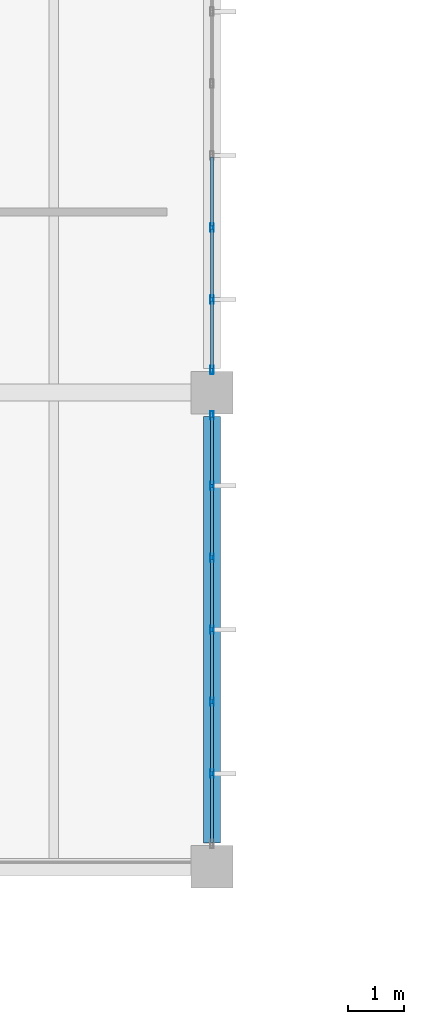
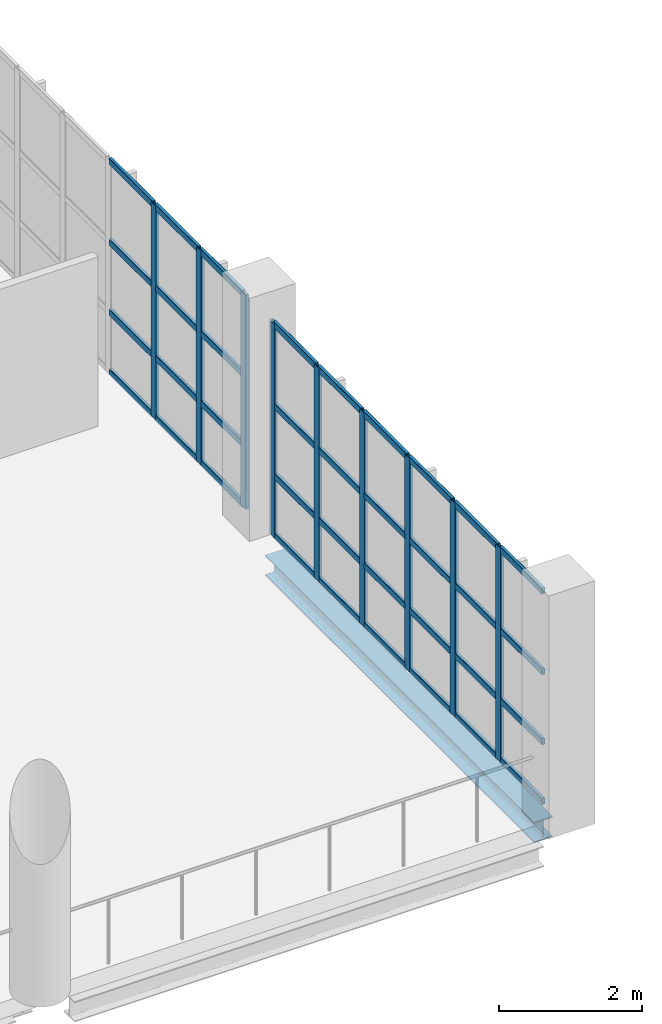
# One storey, part 34 of 177: 45 members, 1 beam, 2 elements without a shape of their own.
"""IFC4 building model written with IfcOpenShell, lengths in metres."""

import ifcopenshell
import ifcopenshell.guid

model = None  # the IFC model being written
_history = None  # IfcOwnerHistory: only IFC2X3 demands one
_inside = {}  # id of a spatial element -> (the spatial element, [elements in it])
_under = {}  # id of a project, library or spatial element -> (it, [spatial elements below it])
_declared = {}  # id of a project -> (the project, [libraries it declares])
_typed = {}  # id of a type object -> (the type object, [elements of that type])
_made_of = {}  # id of a material, layer set ... -> (it, [elements and type objects made of it])


def new_model(schema):
    """Start an empty IFC model of exactly this schema.

    Asked for "IFC4X3", IfcOpenShell would pick the latest addendum, in which some entities
    have other attributes; the version numbers below select the first issue.
    IFC2X3 requires an IfcOwnerHistory on every rooted entity: one is made here for all.
    """
    global model, _history
    if schema == "IFC4X3":
        model = ifcopenshell.file(schema_version=(4, 3, 0, 0))
    else:
        model = ifcopenshell.file(schema=schema)
    _inside.clear()
    _under.clear()
    _declared.clear()
    _typed.clear()
    _made_of.clear()
    _history = None
    if model.schema == "IFC2X3":
        org = make("IfcOrganization", Name="unknown")
        user = make(
            "IfcPersonAndOrganization",
            ThePerson=make("IfcPerson", FamilyName="unknown"),
            TheOrganization=org,
        )
        app = make(
            "IfcApplication",
            ApplicationDeveloper=org,
            Version="unknown",
            ApplicationFullName="unknown",
            ApplicationIdentifier="unknown",
        )
        _history = make(
            "IfcOwnerHistory",
            OwningUser=user,
            OwningApplication=app,
            ChangeAction="ADDED",
            CreationDate=0,
        )
    return model


def make(cls, **values):
    """One entity of the class cls with the attributes given. An attribute that is None is left unset."""
    return model.create_entity(
        cls, **{name: value for name, value in values.items() if value is not None}
    )


def rooted(cls, **values):
    """An entity with a GlobalId (a new one), such as an element, a storey or a relation."""
    return make(cls, GlobalId=ifcopenshell.guid.new(), OwnerHistory=_history, **values)


def si_unit(unit_type, name, prefix=None):
    """IfcSIUnit, for example si_unit("LENGTHUNIT", "METRE", prefix="MILLI")."""
    return make("IfcSIUnit", UnitType=unit_type, Prefix=prefix, Name=name)


def assignment(units):
    """IfcUnitAssignment: the units of a project."""
    return None if units is None else make("IfcUnitAssignment", Units=units)


def point(xyz):
    """IfcCartesianPoint."""
    return None if xyz is None else make("IfcCartesianPoint", Coordinates=xyz)


def direction(xyz):
    """IfcDirection."""
    return None if xyz is None else make("IfcDirection", DirectionRatios=xyz)


def frame(location, z_axis=None, x_axis=None):
    """IfcAxis2Placement3D, a coordinate frame: its origin and axes. An axis left out is left unset."""
    return make(
        "IfcAxis2Placement3D",
        Location=point(location),
        Axis=direction(z_axis),
        RefDirection=direction(x_axis),
    )


def frame_2d(location, x_axis=None):
    """IfcAxis2Placement2D, a coordinate frame in the plane: its origin and x axis."""
    return make(
        "IfcAxis2Placement2D", Location=point(location), RefDirection=direction(x_axis)
    )


def origin():
    """The frame at (0, 0, 0) with its axes left unset."""
    return frame((0.0, 0.0, 0.0))


def origin_2d():
    """The frame at (0, 0) in the plane with its x axis left unset."""
    return frame_2d((0.0, 0.0))


def place(relative_to, where):
    """IfcLocalPlacement: puts the frame where relative to a parent placement (None: the world)."""
    return make(
        "IfcLocalPlacement", PlacementRelTo=relative_to, RelativePlacement=where
    )


def context(
    kind, dimensions, precision=None, world=None, true_north=None, identifier=None
):
    """IfcGeometricRepresentationContext, for example the 3D "Model" context."""
    return make(
        "IfcGeometricRepresentationContext",
        ContextIdentifier=identifier,
        ContextType=kind,
        CoordinateSpaceDimension=dimensions,
        Precision=precision,
        WorldCoordinateSystem=world,
        TrueNorth=true_north,
    )


def subcontext(parent, identifier, kind, view, scale=None):
    """IfcGeometricRepresentationSubContext, for example "Body" below "Model"."""
    return make(
        "IfcGeometricRepresentationSubContext",
        ContextIdentifier=identifier,
        ContextType=kind,
        ParentContext=parent,
        TargetScale=scale,
        TargetView=view,
    )


def project(units=None, contexts=None):
    """IfcProject with its units and contexts."""
    return rooted(
        "IfcProject",
        Name="project",
        RepresentationContexts=contexts,
        UnitsInContext=assignment(units),
    )


def spatial(cls, under=None, at=None, **own):
    """A site, building, storey or space (cls), placed at a placement, below another one or the project."""
    s = rooted(cls, ObjectPlacement=at, **own)
    if under is not None:
        _under.setdefault(under.id(), (under, []))[1].append(s)
    return s


def profile(cls, at=None, kind="AREA", **sizes):
    """A parametric profile (cls). Its sizes go by their IFC names, for example OverallWidth=200.0."""
    return make(cls, ProfileType=kind, Position=at, **sizes)


def hollow_rectangle(**sizes):
    """IfcRectangleHollowProfileDef."""
    return profile("IfcRectangleHollowProfileDef", **sizes)


def i_section(**sizes):
    """IfcIShapeProfileDef."""
    return profile("IfcIShapeProfileDef", **sizes)


def extrude(swept, where, along, depth):
    """IfcExtrudedAreaSolid: the profile swept, set in the frame where, extruded along a direction by depth."""
    return make(
        "IfcExtrudedAreaSolid",
        SweptArea=swept,
        Position=where,
        ExtrudedDirection=direction(along),
        Depth=depth,
    )


def shape(context_of_items, identifier, shape_type, items):
    """IfcShapeRepresentation: the items that make up one representation, for example the "Body"."""
    return make(
        "IfcShapeRepresentation",
        ContextOfItems=context_of_items,
        RepresentationIdentifier=identifier,
        RepresentationType=shape_type,
        Items=items,
    )


def material(Name=None, Category=None):
    """IfcMaterial."""
    return make("IfcMaterial", Name=Name, Category=Category)


def layer(
    of_material, thickness, ventilated=None, Name=None, Category=None, Priority=None
):
    """IfcMaterialLayer: one layer of a wall or slab, of a material (None: an air gap)."""
    return make(
        "IfcMaterialLayer",
        Material=of_material,
        LayerThickness=thickness,
        IsVentilated=ventilated,
        Name=Name,
        Category=Category,
        Priority=Priority,
    )


def layer_set(layers, Name=None):
    """IfcMaterialLayerSet."""
    return make("IfcMaterialLayerSet", MaterialLayers=layers, LayerSetName=Name)


def material_profile(
    of_material, cross_section, Name=None, Category=None, Priority=None
):
    """IfcMaterialProfile: a cross section and its material."""
    return make(
        "IfcMaterialProfile",
        Name=Name,
        Material=of_material,
        Profile=cross_section,
        Priority=Priority,
        Category=Category,
    )


def profile_set(profiles, Name=None, composite=None):
    """IfcMaterialProfileSet."""
    return make(
        "IfcMaterialProfileSet",
        Name=Name,
        MaterialProfiles=profiles,
        CompositeProfile=composite,
    )


def made_of(thing, what):
    """Note that an element or type object is made of a material, layer set ...; save() writes the relation."""
    if what is not None:
        _made_of.setdefault(what.id(), (what, []))[1].append(thing)
    return thing


def type_object(cls, material=None, **own):
    """A type object (cls), such as IfcWallType, which elements share."""
    return made_of(rooted(cls, **own), material)


def element(
    cls,
    number,
    at=None,
    inside=None,
    cuts=None,
    type_object=None,
    material=None,
    context=None,
    identifier="Body",
    shape_type=None,
    held_by="IfcProductDefinitionShape",
    body=None,
    shapes=None,
    **own,
):
    """One element of the class cls, such as IfcWall. Its Tag is "e" and its number.

    at: its placement. inside: the storey or other place that contains it. cuts: it is an
    opening in that element (IfcRelVoidsElement). A single representation is given by context,
    identifier, shape_type and body (its items); several are given by shapes. held_by: the class
    of the entity that holds the representations. save() writes the other relations.
    """
    e = rooted(cls, Tag="e%d" % number, ObjectPlacement=at, **own)
    if body is not None:
        shapes = [shape(context, identifier, shape_type, body)]
    if shapes is not None:
        e.Representation = make(held_by, Representations=shapes)
    if inside is not None:
        _inside.setdefault(inside.id(), (inside, []))[1].append(e)
    if cuts is not None:
        rooted(
            "IfcRelVoidsElement", RelatingBuildingElement=cuts, RelatedOpeningElement=e
        )
    if type_object is not None:
        _typed.setdefault(type_object.id(), (type_object, []))[1].append(e)
    return made_of(e, material)


def aggregate(whole, parts):
    """IfcRelAggregates: a whole, such as a stair, and the parts it consists of."""
    return rooted("IfcRelAggregates", RelatingObject=whole, RelatedObjects=parts)


def save(model, path):
    """Write the relations noted so far, then the file.

    IfcRelAggregates (storeys below a building ...), IfcRelContainedInSpatialStructure (elements
    in a storey), IfcRelDefinesByType, IfcRelAssociatesMaterial and IfcRelDeclares: one each for
    every whole, place, type object, material and project.
    """
    for whole, parts in _under.values():
        aggregate(whole, parts)
    for where, things in _inside.values():
        rooted(
            "IfcRelContainedInSpatialStructure",
            RelatedElements=things,
            RelatingStructure=where,
        )
    for kind, things in _typed.values():
        rooted("IfcRelDefinesByType", RelatedObjects=things, RelatingType=kind)
    for what, things in _made_of.values():
        rooted("IfcRelAssociatesMaterial", RelatedObjects=things, RelatingMaterial=what)
    for by, libraries in _declared.values():
        rooted("IfcRelDeclares", RelatingContext=by, RelatedDefinitions=libraries)
    model.write(path)


model = new_model("IFC4")

# Units and contexts
model_context = context("Model", 3, precision=1e-05, world=origin(), true_north=direction((0.0, 1.0)))
body_context = subcontext(model_context, "Body", "Model", "MODEL_VIEW")
ifc_project = project(units=[si_unit("LENGTHUNIT", "METRE"), si_unit("AREAUNIT", "SQUARE_METRE"), si_unit("VOLUMEUNIT", "CUBIC_METRE"), si_unit("PLANEANGLEUNIT", "RADIAN"), si_unit("MASSUNIT", "GRAM", prefix="KILO"), si_unit("THERMODYNAMICTEMPERATUREUNIT", "KELVIN"), si_unit("POWERUNIT", "WATT")], contexts=[model_context])

# Site, building, storey
site_placement = place(None, origin())
site = spatial("IfcSite", under=ifc_project, at=site_placement, CompositionType="ELEMENT")
building_placement = place(site_placement, origin())
building = spatial("IfcBuilding", under=site, at=building_placement, Name="Mavoryth Pier Ferry Terminal", CompositionType="ELEMENT")
storey_placement = place(building_placement, frame((0.0, 0.0, 5.43994140625)))
storey = spatial("IfcBuildingStorey", under=building, at=storey_placement, Name="L01", CompositionType="ELEMENT", Elevation=5.43994140625)

# Curtain wall, members
ifc_material_1 = material(Name="Anodised Aluminium and Solar-Control Low-E Glass", Category="aluminium")
ifc_layer = layer(ifc_material_1, 0.199951171875, Name="Anodised Aluminium and Solar-Control Low-E Glass", Category="aluminium")
ifc_layer_set = layer_set([ifc_layer], Name="Anodised Aluminium and Solar-Control Low-E Glass - CW-Concourse-Mod1200")
curtain_wall_type = type_object("IfcCurtainWallType", Name="CW-Concourse-Mod1200", PredefinedType="USERDEFINED", material=ifc_layer_set)
curtain_wall_1_placement = place(storey_placement, origin())
curtain_wall_1 = element("IfcCurtainWall", 1, at=curtain_wall_1_placement, inside=storey, type_object=curtain_wall_type, Name="Curtain Wall CW-0111-008", ObjectType="UNITISED CURTAIN WALL", PredefinedType="USERDEFINED")
ifc_material_2 = material(Name="Anodised Aluminium EN AW-6063", Category="aluminium")
ifc_material_profile_1 = material_profile(ifc_material_2, hollow_rectangle(XDim=0.054931640625, YDim=0.14990234375, WallThickness=0.00390625, InnerFilletRadius=0.00390625, OuterFilletRadius=0.008056640625, at=origin_2d()), Name="AL-MULL 150x55x4", Category="aluminium")
ifc_profile_set_1 = profile_set([ifc_material_profile_1], Name="Anodised Aluminium EN AW-6063 - AL-MULL 150x55x4")
member_type_1 = type_object("IfcMemberType", Name="Mullion-Alum-150x55", PredefinedType="MULLION", material=ifc_profile_set_1)
member_1_placement = place(storey_placement, frame((33.60009765625, 48.85009765625, 0.0), z_axis=(0.0, 0.0, 1.0), x_axis=(-1.0, 0.0, 0.0)))
member_1 = element("IfcMember", 2, at=member_1_placement, type_object=member_type_1, Name="CW02 mullion 2", PredefinedType="MULLION", context=body_context, shape_type="SweptSolid", body=[
    extrude(hollow_rectangle(XDim=0.054931640625, YDim=0.14990234375, WallThickness=0.00390625, InnerFilletRadius=0.00390625, OuterFilletRadius=0.008056640625, at=origin_2d()), origin(), (0.0, 0.0, 1.0), 3.66015625),
])
member_2_placement = place(storey_placement, frame((33.60009765625, 50.125, 0.0), z_axis=(0.0, 0.0, 1.0), x_axis=(-1.0, 0.0, 0.0)))
member_2 = element("IfcMember", 3, at=member_2_placement, type_object=member_type_1, Name="CW02 mullion 3", PredefinedType="MULLION", context=body_context, shape_type="SweptSolid", body=[
    extrude(hollow_rectangle(XDim=0.054931640625, YDim=0.14990234375, WallThickness=0.00390625, InnerFilletRadius=0.00390625, OuterFilletRadius=0.008056640625, at=origin_2d()), origin(), (0.0, 0.0, 1.0), 3.66015625),
])
member_3_placement = place(storey_placement, frame((33.60009765625, 51.39990234375, 0.0), z_axis=(0.0, 0.0, 1.0), x_axis=(-1.0, 0.0, 0.0)))
member_3 = element("IfcMember", 4, at=member_3_placement, type_object=member_type_1, Name="CW02 mullion 4", PredefinedType="MULLION", context=body_context, shape_type="SweptSolid", body=[
    extrude(hollow_rectangle(XDim=0.054931640625, YDim=0.14990234375, WallThickness=0.00390625, InnerFilletRadius=0.00390625, OuterFilletRadius=0.008056640625, at=origin_2d()), origin(), (0.0, 0.0, 1.0), 3.66015625),
])
member_4_placement = place(storey_placement, frame((33.60009765625, 52.675048828125, 0.0), z_axis=(0.0, 0.0, 1.0), x_axis=(-1.0, 0.0, 0.0)))
member_4 = element("IfcMember", 5, at=member_4_placement, type_object=member_type_1, Name="CW02 mullion 5", PredefinedType="MULLION", context=body_context, shape_type="SweptSolid", body=[
    extrude(hollow_rectangle(XDim=0.054931640625, YDim=0.14990234375, WallThickness=0.00390625, InnerFilletRadius=0.00390625, OuterFilletRadius=0.008056640625, at=origin_2d()), origin(), (0.0, 0.0, 1.0), 3.66015625),
])
member_5_placement = place(storey_placement, frame((33.60009765625, 53.949951171875, 0.0), z_axis=(0.0, 0.0, 1.0), x_axis=(-1.0, 0.0, 0.0)))
member_5 = element("IfcMember", 6, at=member_5_placement, type_object=member_type_1, Name="CW02 mullion 6", PredefinedType="MULLION", context=body_context, shape_type="SweptSolid", body=[
    extrude(hollow_rectangle(XDim=0.054931640625, YDim=0.14990234375, WallThickness=0.00390625, InnerFilletRadius=0.00390625, OuterFilletRadius=0.008056640625, at=origin_2d()), origin(), (0.0, 0.0, 1.0), 3.66015625),
])
member_6_placement = place(storey_placement, frame((33.60009765625, 55.197509765625, 0.0), z_axis=(0.0, 0.0, 1.0), x_axis=(-1.0, 0.0, 0.0)))
member_6 = element("IfcMember", 7, at=member_6_placement, type_object=member_type_1, Name="CW02 mullion 7", PredefinedType="MULLION", context=body_context, shape_type="SweptSolid", body=[
    extrude(hollow_rectangle(XDim=0.054931640625, YDim=0.14990234375, WallThickness=0.00390625, InnerFilletRadius=0.00390625, OuterFilletRadius=0.008056640625, at=origin_2d()), origin(), (0.0, 0.0, 1.0), 3.66015625),
])

curtain_wall_2_placement = place(storey_placement, origin())
curtain_wall_2 = element("IfcCurtainWall", 8, at=curtain_wall_2_placement, inside=storey, type_object=curtain_wall_type, Name="Curtain Wall CW-0111-012", ObjectType="UNITISED CURTAIN WALL", PredefinedType="USERDEFINED")
member_7_placement = place(storey_placement, frame((33.60009765625, 56.00244140625, 0.0), z_axis=(0.0, 0.0, 1.0), x_axis=(-1.0, 0.0, 0.0)))
member_7 = element("IfcMember", 9, at=member_7_placement, type_object=member_type_1, Name="CW02 mullion 1", PredefinedType="MULLION", context=body_context, shape_type="SweptSolid", body=[
    extrude(hollow_rectangle(XDim=0.054931640625, YDim=0.14990234375, WallThickness=0.00390625, InnerFilletRadius=0.00390625, OuterFilletRadius=0.008056640625, at=origin_2d()), origin(), (0.0, 0.0, 1.0), 3.66015625),
])
member_8_placement = place(storey_placement, frame((33.60009765625, 57.25, 0.0), z_axis=(0.0, 0.0, 1.0), x_axis=(-1.0, 0.0, 0.0)))
member_8 = element("IfcMember", 10, at=member_8_placement, type_object=member_type_1, Name="CW02 mullion 2", PredefinedType="MULLION", context=body_context, shape_type="SweptSolid", body=[
    extrude(hollow_rectangle(XDim=0.054931640625, YDim=0.14990234375, WallThickness=0.00390625, InnerFilletRadius=0.00390625, OuterFilletRadius=0.008056640625, at=origin_2d()), origin(), (0.0, 0.0, 1.0), 3.66015625),
])
member_9_placement = place(storey_placement, frame((33.60009765625, 58.52490234375, 0.0), z_axis=(0.0, 0.0, 1.0), x_axis=(-1.0, 0.0, 0.0)))
member_9 = element("IfcMember", 11, at=member_9_placement, type_object=member_type_1, Name="CW02 mullion 3", PredefinedType="MULLION", context=body_context, shape_type="SweptSolid", body=[
    extrude(hollow_rectangle(XDim=0.054931640625, YDim=0.14990234375, WallThickness=0.00390625, InnerFilletRadius=0.00390625, OuterFilletRadius=0.008056640625, at=origin_2d()), origin(), (0.0, 0.0, 1.0), 3.66015625),
])

# Beam
ifc_material_3 = material(Name="Steel S355J2", Category="steel")
ifc_material_profile_2 = material_profile(ifc_material_3, i_section(OverallWidth=0.300048828125, OverallDepth=0.35009765625, WebThickness=0.010009765625, FlangeThickness=0.017578125, FilletRadius=0.027099609375, at=origin_2d()), Name="HEA 360", Category="steel")
ifc_profile_set_2 = profile_set([ifc_material_profile_2], Name="Steel S355J2 - HEA 360")
beam_type = type_object("IfcBeamType", Name="Spandrel-Steel-HEA360", PredefinedType="SPANDREL", material=ifc_profile_set_2)
beam_placement = place(storey_placement, frame((33.60009765625, 47.625, -0.454833984375), z_axis=(0.0, 1.0, 0.0), x_axis=(-1.0, 0.0, 0.0)))
element("IfcBeam", 12, at=beam_placement, inside=storey, type_object=beam_type, Name="Beam B01-SP03-0104", PredefinedType="SPANDREL", context=body_context, shape_type="SweptSolid", body=[
    extrude(i_section(OverallWidth=0.300048828125, OverallDepth=0.35009765625, WebThickness=0.010009765625, FlangeThickness=0.017578125, FilletRadius=0.027099609375, at=origin_2d()), origin(), (0.0, 0.0, 1.0), 7.550048828125),
])

# Member
ifc_material_profile_3 = material_profile(ifc_material_2, hollow_rectangle(XDim=0.054931640625, YDim=0.110107421875, WallThickness=0.00390625, InnerFilletRadius=0.00390625, OuterFilletRadius=0.008056640625, at=origin_2d()), Name="AL-TRAN 110x55x4", Category="aluminium")
ifc_profile_set_3 = profile_set([ifc_material_profile_3], Name="Anodised Aluminium EN AW-6063 - AL-TRAN 110x55x4")
member_type_2 = type_object("IfcMemberType", Name="Transom-Alum-110x55", PredefinedType="USERDEFINED", material=ifc_profile_set_3)
member_10_placement = place(storey_placement, frame((33.60009765625, 47.6298828125, 0.027587890625), z_axis=(0.0, 1.0, 0.0), x_axis=(-1.0, 0.0, 0.0)))
member_10 = element("IfcMember", 13, at=member_10_placement, type_object=member_type_2, Name="CW02 transom 1.1", ObjectType="TRANSOM", PredefinedType="USERDEFINED", context=body_context, shape_type="SweptSolid", body=[
    extrude(hollow_rectangle(XDim=0.054931640625, YDim=0.110107421875, WallThickness=0.00390625, InnerFilletRadius=0.00390625, OuterFilletRadius=0.008056640625, at=origin_2d()), origin(), (0.0, 0.0, 1.0), 1.192626953125),
])

member_11_placement = place(storey_placement, frame((33.60009765625, 47.6298828125, 1.050048828125), z_axis=(0.0, 1.0, 0.0), x_axis=(-1.0, 0.0, 0.0)))
member_11 = element("IfcMember", 14, at=member_11_placement, type_object=member_type_2, Name="CW02 transom 1.2", ObjectType="TRANSOM", PredefinedType="USERDEFINED", context=body_context, shape_type="SweptSolid", body=[
    extrude(hollow_rectangle(XDim=0.054931640625, YDim=0.110107421875, WallThickness=0.00390625, InnerFilletRadius=0.00390625, OuterFilletRadius=0.008056640625, at=origin_2d()), origin(), (0.0, 0.0, 1.0), 1.192626953125),
])

member_12_placement = place(storey_placement, frame((33.60009765625, 47.6298828125, 2.25), z_axis=(0.0, 1.0, 0.0), x_axis=(-1.0, 0.0, 0.0)))
member_12 = element("IfcMember", 15, at=member_12_placement, type_object=member_type_2, Name="CW02 transom 1.3", ObjectType="TRANSOM", PredefinedType="USERDEFINED", context=body_context, shape_type="SweptSolid", body=[
    extrude(hollow_rectangle(XDim=0.054931640625, YDim=0.110107421875, WallThickness=0.00390625, InnerFilletRadius=0.00390625, OuterFilletRadius=0.008056640625, at=origin_2d()), origin(), (0.0, 0.0, 1.0), 1.192626953125),
])

member_13_placement = place(storey_placement, frame((33.60009765625, 47.6298828125, 3.632568359375), z_axis=(0.0, 1.0, 0.0), x_axis=(-1.0, 0.0, 0.0)))
member_13 = element("IfcMember", 16, at=member_13_placement, type_object=member_type_2, Name="CW02 transom 1.4", ObjectType="TRANSOM", PredefinedType="USERDEFINED", context=body_context, shape_type="SweptSolid", body=[
    extrude(hollow_rectangle(XDim=0.054931640625, YDim=0.110107421875, WallThickness=0.00390625, InnerFilletRadius=0.00390625, OuterFilletRadius=0.008056640625, at=origin_2d()), origin(), (0.0, 0.0, 1.0), 1.192626953125),
])

member_14_placement = place(storey_placement, frame((33.60009765625, 48.87744140625, 0.027587890625), z_axis=(0.0, 1.0, 0.0), x_axis=(-1.0, 0.0, 0.0)))
member_14 = element("IfcMember", 17, at=member_14_placement, type_object=member_type_2, Name="CW02 transom 2.1", ObjectType="TRANSOM", PredefinedType="USERDEFINED", context=body_context, shape_type="SweptSolid", body=[
    extrude(hollow_rectangle(XDim=0.054931640625, YDim=0.110107421875, WallThickness=0.00390625, InnerFilletRadius=0.00390625, OuterFilletRadius=0.008056640625, at=origin_2d()), origin(), (0.0, 0.0, 1.0), 1.219970703125),
])

member_15_placement = place(storey_placement, frame((33.60009765625, 48.87744140625, 1.050048828125), z_axis=(0.0, 1.0, 0.0), x_axis=(-1.0, 0.0, 0.0)))
member_15 = element("IfcMember", 18, at=member_15_placement, type_object=member_type_2, Name="CW02 transom 2.2", ObjectType="TRANSOM", PredefinedType="USERDEFINED", context=body_context, shape_type="SweptSolid", body=[
    extrude(hollow_rectangle(XDim=0.054931640625, YDim=0.110107421875, WallThickness=0.00390625, InnerFilletRadius=0.00390625, OuterFilletRadius=0.008056640625, at=origin_2d()), origin(), (0.0, 0.0, 1.0), 1.219970703125),
])

member_16_placement = place(storey_placement, frame((33.60009765625, 48.87744140625, 2.25), z_axis=(0.0, 1.0, 0.0), x_axis=(-1.0, 0.0, 0.0)))
member_16 = element("IfcMember", 19, at=member_16_placement, type_object=member_type_2, Name="CW02 transom 2.3", ObjectType="TRANSOM", PredefinedType="USERDEFINED", context=body_context, shape_type="SweptSolid", body=[
    extrude(hollow_rectangle(XDim=0.054931640625, YDim=0.110107421875, WallThickness=0.00390625, InnerFilletRadius=0.00390625, OuterFilletRadius=0.008056640625, at=origin_2d()), origin(), (0.0, 0.0, 1.0), 1.219970703125),
])

member_17_placement = place(storey_placement, frame((33.60009765625, 48.87744140625, 3.632568359375), z_axis=(0.0, 1.0, 0.0), x_axis=(-1.0, 0.0, 0.0)))
member_17 = element("IfcMember", 20, at=member_17_placement, type_object=member_type_2, Name="CW02 transom 2.4", ObjectType="TRANSOM", PredefinedType="USERDEFINED", context=body_context, shape_type="SweptSolid", body=[
    extrude(hollow_rectangle(XDim=0.054931640625, YDim=0.110107421875, WallThickness=0.00390625, InnerFilletRadius=0.00390625, OuterFilletRadius=0.008056640625, at=origin_2d()), origin(), (0.0, 0.0, 1.0), 1.219970703125),
])

member_18_placement = place(storey_placement, frame((33.60009765625, 50.152587890625, 0.027587890625), z_axis=(0.0, 1.0, 0.0), x_axis=(-1.0, 0.0, 0.0)))
member_18 = element("IfcMember", 21, at=member_18_placement, type_object=member_type_2, Name="CW02 transom 3.1", ObjectType="TRANSOM", PredefinedType="USERDEFINED", context=body_context, shape_type="SweptSolid", body=[
    extrude(hollow_rectangle(XDim=0.054931640625, YDim=0.110107421875, WallThickness=0.00390625, InnerFilletRadius=0.00390625, OuterFilletRadius=0.008056640625, at=origin_2d()), origin(), (0.0, 0.0, 1.0), 1.219970703125),
])

member_19_placement = place(storey_placement, frame((33.60009765625, 50.152587890625, 1.050048828125), z_axis=(0.0, 1.0, 0.0), x_axis=(-1.0, 0.0, 0.0)))
member_19 = element("IfcMember", 22, at=member_19_placement, type_object=member_type_2, Name="CW02 transom 3.2", ObjectType="TRANSOM", PredefinedType="USERDEFINED", context=body_context, shape_type="SweptSolid", body=[
    extrude(hollow_rectangle(XDim=0.054931640625, YDim=0.110107421875, WallThickness=0.00390625, InnerFilletRadius=0.00390625, OuterFilletRadius=0.008056640625, at=origin_2d()), origin(), (0.0, 0.0, 1.0), 1.219970703125),
])

member_20_placement = place(storey_placement, frame((33.60009765625, 50.152587890625, 2.25), z_axis=(0.0, 1.0, 0.0), x_axis=(-1.0, 0.0, 0.0)))
member_20 = element("IfcMember", 23, at=member_20_placement, type_object=member_type_2, Name="CW02 transom 3.3", ObjectType="TRANSOM", PredefinedType="USERDEFINED", context=body_context, shape_type="SweptSolid", body=[
    extrude(hollow_rectangle(XDim=0.054931640625, YDim=0.110107421875, WallThickness=0.00390625, InnerFilletRadius=0.00390625, OuterFilletRadius=0.008056640625, at=origin_2d()), origin(), (0.0, 0.0, 1.0), 1.219970703125),
])

member_21_placement = place(storey_placement, frame((33.60009765625, 50.152587890625, 3.632568359375), z_axis=(0.0, 1.0, 0.0), x_axis=(-1.0, 0.0, 0.0)))
member_21 = element("IfcMember", 24, at=member_21_placement, type_object=member_type_2, Name="CW02 transom 3.4", ObjectType="TRANSOM", PredefinedType="USERDEFINED", context=body_context, shape_type="SweptSolid", body=[
    extrude(hollow_rectangle(XDim=0.054931640625, YDim=0.110107421875, WallThickness=0.00390625, InnerFilletRadius=0.00390625, OuterFilletRadius=0.008056640625, at=origin_2d()), origin(), (0.0, 0.0, 1.0), 1.219970703125),
])

member_22_placement = place(storey_placement, frame((33.60009765625, 51.427490234375, 0.027587890625), z_axis=(0.0, 1.0, 0.0), x_axis=(-1.0, 0.0, 0.0)))
member_22 = element("IfcMember", 25, at=member_22_placement, type_object=member_type_2, Name="CW02 transom 4.1", ObjectType="TRANSOM", PredefinedType="USERDEFINED", context=body_context, shape_type="SweptSolid", body=[
    extrude(hollow_rectangle(XDim=0.054931640625, YDim=0.110107421875, WallThickness=0.00390625, InnerFilletRadius=0.00390625, OuterFilletRadius=0.008056640625, at=origin_2d()), origin(), (0.0, 0.0, 1.0), 1.219970703125),
])

member_23_placement = place(storey_placement, frame((33.60009765625, 51.427490234375, 1.050048828125), z_axis=(0.0, 1.0, 0.0), x_axis=(-1.0, 0.0, 0.0)))
member_23 = element("IfcMember", 26, at=member_23_placement, type_object=member_type_2, Name="CW02 transom 4.2", ObjectType="TRANSOM", PredefinedType="USERDEFINED", context=body_context, shape_type="SweptSolid", body=[
    extrude(hollow_rectangle(XDim=0.054931640625, YDim=0.110107421875, WallThickness=0.00390625, InnerFilletRadius=0.00390625, OuterFilletRadius=0.008056640625, at=origin_2d()), origin(), (0.0, 0.0, 1.0), 1.219970703125),
])

member_24_placement = place(storey_placement, frame((33.60009765625, 51.427490234375, 2.25), z_axis=(0.0, 1.0, 0.0), x_axis=(-1.0, 0.0, 0.0)))
member_24 = element("IfcMember", 27, at=member_24_placement, type_object=member_type_2, Name="CW02 transom 4.3", ObjectType="TRANSOM", PredefinedType="USERDEFINED", context=body_context, shape_type="SweptSolid", body=[
    extrude(hollow_rectangle(XDim=0.054931640625, YDim=0.110107421875, WallThickness=0.00390625, InnerFilletRadius=0.00390625, OuterFilletRadius=0.008056640625, at=origin_2d()), origin(), (0.0, 0.0, 1.0), 1.219970703125),
])

member_25_placement = place(storey_placement, frame((33.60009765625, 51.427490234375, 3.632568359375), z_axis=(0.0, 1.0, 0.0), x_axis=(-1.0, 0.0, 0.0)))
member_25 = element("IfcMember", 28, at=member_25_placement, type_object=member_type_2, Name="CW02 transom 4.4", ObjectType="TRANSOM", PredefinedType="USERDEFINED", context=body_context, shape_type="SweptSolid", body=[
    extrude(hollow_rectangle(XDim=0.054931640625, YDim=0.110107421875, WallThickness=0.00390625, InnerFilletRadius=0.00390625, OuterFilletRadius=0.008056640625, at=origin_2d()), origin(), (0.0, 0.0, 1.0), 1.219970703125),
])

member_26_placement = place(storey_placement, frame((33.60009765625, 52.702392578125, 0.027587890625), z_axis=(0.0, 1.0, 0.0), x_axis=(-1.0, 0.0, 0.0)))
member_26 = element("IfcMember", 29, at=member_26_placement, type_object=member_type_2, Name="CW02 transom 5.1", ObjectType="TRANSOM", PredefinedType="USERDEFINED", context=body_context, shape_type="SweptSolid", body=[
    extrude(hollow_rectangle(XDim=0.054931640625, YDim=0.110107421875, WallThickness=0.00390625, InnerFilletRadius=0.00390625, OuterFilletRadius=0.008056640625, at=origin_2d()), origin(), (0.0, 0.0, 1.0), 1.22021484375),
])

member_27_placement = place(storey_placement, frame((33.60009765625, 52.702392578125, 1.050048828125), z_axis=(0.0, 1.0, 0.0), x_axis=(-1.0, 0.0, 0.0)))
member_27 = element("IfcMember", 30, at=member_27_placement, type_object=member_type_2, Name="CW02 transom 5.2", ObjectType="TRANSOM", PredefinedType="USERDEFINED", context=body_context, shape_type="SweptSolid", body=[
    extrude(hollow_rectangle(XDim=0.054931640625, YDim=0.110107421875, WallThickness=0.00390625, InnerFilletRadius=0.00390625, OuterFilletRadius=0.008056640625, at=origin_2d()), origin(), (0.0, 0.0, 1.0), 1.22021484375),
])

member_28_placement = place(storey_placement, frame((33.60009765625, 52.702392578125, 2.25), z_axis=(0.0, 1.0, 0.0), x_axis=(-1.0, 0.0, 0.0)))
member_28 = element("IfcMember", 31, at=member_28_placement, type_object=member_type_2, Name="CW02 transom 5.3", ObjectType="TRANSOM", PredefinedType="USERDEFINED", context=body_context, shape_type="SweptSolid", body=[
    extrude(hollow_rectangle(XDim=0.054931640625, YDim=0.110107421875, WallThickness=0.00390625, InnerFilletRadius=0.00390625, OuterFilletRadius=0.008056640625, at=origin_2d()), origin(), (0.0, 0.0, 1.0), 1.22021484375),
])

member_29_placement = place(storey_placement, frame((33.60009765625, 52.702392578125, 3.632568359375), z_axis=(0.0, 1.0, 0.0), x_axis=(-1.0, 0.0, 0.0)))
member_29 = element("IfcMember", 32, at=member_29_placement, type_object=member_type_2, Name="CW02 transom 5.4", ObjectType="TRANSOM", PredefinedType="USERDEFINED", context=body_context, shape_type="SweptSolid", body=[
    extrude(hollow_rectangle(XDim=0.054931640625, YDim=0.110107421875, WallThickness=0.00390625, InnerFilletRadius=0.00390625, OuterFilletRadius=0.008056640625, at=origin_2d()), origin(), (0.0, 0.0, 1.0), 1.22021484375),
])

member_30_placement = place(storey_placement, frame((33.60009765625, 53.9775390625, 0.027587890625), z_axis=(0.0, 1.0, 0.0), x_axis=(-1.0, 0.0, 0.0)))
member_30 = element("IfcMember", 33, at=member_30_placement, type_object=member_type_2, Name="CW02 transom 6.1", ObjectType="TRANSOM", PredefinedType="USERDEFINED", context=body_context, shape_type="SweptSolid", body=[
    extrude(hollow_rectangle(XDim=0.054931640625, YDim=0.110107421875, WallThickness=0.00390625, InnerFilletRadius=0.00390625, OuterFilletRadius=0.008056640625, at=origin_2d()), origin(), (0.0, 0.0, 1.0), 1.1923828125),
])

member_31_placement = place(storey_placement, frame((33.60009765625, 53.9775390625, 1.050048828125), z_axis=(0.0, 1.0, 0.0), x_axis=(-1.0, 0.0, 0.0)))
member_31 = element("IfcMember", 34, at=member_31_placement, type_object=member_type_2, Name="CW02 transom 6.2", ObjectType="TRANSOM", PredefinedType="USERDEFINED", context=body_context, shape_type="SweptSolid", body=[
    extrude(hollow_rectangle(XDim=0.054931640625, YDim=0.110107421875, WallThickness=0.00390625, InnerFilletRadius=0.00390625, OuterFilletRadius=0.008056640625, at=origin_2d()), origin(), (0.0, 0.0, 1.0), 1.1923828125),
])

member_32_placement = place(storey_placement, frame((33.60009765625, 53.9775390625, 2.25), z_axis=(0.0, 1.0, 0.0), x_axis=(-1.0, 0.0, 0.0)))
member_32 = element("IfcMember", 35, at=member_32_placement, type_object=member_type_2, Name="CW02 transom 6.3", ObjectType="TRANSOM", PredefinedType="USERDEFINED", context=body_context, shape_type="SweptSolid", body=[
    extrude(hollow_rectangle(XDim=0.054931640625, YDim=0.110107421875, WallThickness=0.00390625, InnerFilletRadius=0.00390625, OuterFilletRadius=0.008056640625, at=origin_2d()), origin(), (0.0, 0.0, 1.0), 1.1923828125),
])

member_33_placement = place(storey_placement, frame((33.60009765625, 53.9775390625, 3.632568359375), z_axis=(0.0, 1.0, 0.0), x_axis=(-1.0, 0.0, 0.0)))
member_33 = element("IfcMember", 36, at=member_33_placement, type_object=member_type_2, Name="CW02 transom 6.4", ObjectType="TRANSOM", PredefinedType="USERDEFINED", context=body_context, shape_type="SweptSolid", body=[
    extrude(hollow_rectangle(XDim=0.054931640625, YDim=0.110107421875, WallThickness=0.00390625, InnerFilletRadius=0.00390625, OuterFilletRadius=0.008056640625, at=origin_2d()), origin(), (0.0, 0.0, 1.0), 1.1923828125),
])

aggregate(curtain_wall_1, [member_1, member_2, member_3, member_4, member_5, member_6, member_10, member_11, member_12, member_13, member_14, member_15, member_16, member_17, member_18, member_19, member_20, member_21, member_22, member_23, member_24, member_25, member_26, member_27, member_28, member_29, member_30, member_31, member_32, member_33])

member_34_placement = place(storey_placement, frame((33.60009765625, 56.030029296875, 0.027587890625), z_axis=(0.0, 1.0, 0.0), x_axis=(-1.0, 0.0, 0.0)))
member_34 = element("IfcMember", 37, at=member_34_placement, type_object=member_type_2, Name="CW02 transom 1.1", ObjectType="TRANSOM", PredefinedType="USERDEFINED", context=body_context, shape_type="SweptSolid", body=[
    extrude(hollow_rectangle(XDim=0.054931640625, YDim=0.110107421875, WallThickness=0.00390625, InnerFilletRadius=0.00390625, OuterFilletRadius=0.008056640625, at=origin_2d()), origin(), (0.0, 0.0, 1.0), 1.1923828125),
])

member_35_placement = place(storey_placement, frame((33.60009765625, 56.030029296875, 1.050048828125), z_axis=(0.0, 1.0, 0.0), x_axis=(-1.0, 0.0, 0.0)))
member_35 = element("IfcMember", 38, at=member_35_placement, type_object=member_type_2, Name="CW02 transom 1.2", ObjectType="TRANSOM", PredefinedType="USERDEFINED", context=body_context, shape_type="SweptSolid", body=[
    extrude(hollow_rectangle(XDim=0.054931640625, YDim=0.110107421875, WallThickness=0.00390625, InnerFilletRadius=0.00390625, OuterFilletRadius=0.008056640625, at=origin_2d()), origin(), (0.0, 0.0, 1.0), 1.1923828125),
])

member_36_placement = place(storey_placement, frame((33.60009765625, 56.030029296875, 2.25), z_axis=(0.0, 1.0, 0.0), x_axis=(-1.0, 0.0, 0.0)))
member_36 = element("IfcMember", 39, at=member_36_placement, type_object=member_type_2, Name="CW02 transom 1.3", ObjectType="TRANSOM", PredefinedType="USERDEFINED", context=body_context, shape_type="SweptSolid", body=[
    extrude(hollow_rectangle(XDim=0.054931640625, YDim=0.110107421875, WallThickness=0.00390625, InnerFilletRadius=0.00390625, OuterFilletRadius=0.008056640625, at=origin_2d()), origin(), (0.0, 0.0, 1.0), 1.1923828125),
])

member_37_placement = place(storey_placement, frame((33.60009765625, 56.030029296875, 3.632568359375), z_axis=(0.0, 1.0, 0.0), x_axis=(-1.0, 0.0, 0.0)))
member_37 = element("IfcMember", 40, at=member_37_placement, type_object=member_type_2, Name="CW02 transom 1.4", ObjectType="TRANSOM", PredefinedType="USERDEFINED", context=body_context, shape_type="SweptSolid", body=[
    extrude(hollow_rectangle(XDim=0.054931640625, YDim=0.110107421875, WallThickness=0.00390625, InnerFilletRadius=0.00390625, OuterFilletRadius=0.008056640625, at=origin_2d()), origin(), (0.0, 0.0, 1.0), 1.1923828125),
])

member_38_placement = place(storey_placement, frame((33.60009765625, 57.277587890625, 0.027587890625), z_axis=(0.0, 1.0, 0.0), x_axis=(-1.0, 0.0, 0.0)))
member_38 = element("IfcMember", 41, at=member_38_placement, type_object=member_type_2, Name="CW02 transom 2.1", ObjectType="TRANSOM", PredefinedType="USERDEFINED", context=body_context, shape_type="SweptSolid", body=[
    extrude(hollow_rectangle(XDim=0.054931640625, YDim=0.110107421875, WallThickness=0.00390625, InnerFilletRadius=0.00390625, OuterFilletRadius=0.008056640625, at=origin_2d()), origin(), (0.0, 0.0, 1.0), 1.219970703125),
])

member_39_placement = place(storey_placement, frame((33.60009765625, 57.277587890625, 1.050048828125), z_axis=(0.0, 1.0, 0.0), x_axis=(-1.0, 0.0, 0.0)))
member_39 = element("IfcMember", 42, at=member_39_placement, type_object=member_type_2, Name="CW02 transom 2.2", ObjectType="TRANSOM", PredefinedType="USERDEFINED", context=body_context, shape_type="SweptSolid", body=[
    extrude(hollow_rectangle(XDim=0.054931640625, YDim=0.110107421875, WallThickness=0.00390625, InnerFilletRadius=0.00390625, OuterFilletRadius=0.008056640625, at=origin_2d()), origin(), (0.0, 0.0, 1.0), 1.219970703125),
])

member_40_placement = place(storey_placement, frame((33.60009765625, 57.277587890625, 2.25), z_axis=(0.0, 1.0, 0.0), x_axis=(-1.0, 0.0, 0.0)))
member_40 = element("IfcMember", 43, at=member_40_placement, type_object=member_type_2, Name="CW02 transom 2.3", ObjectType="TRANSOM", PredefinedType="USERDEFINED", context=body_context, shape_type="SweptSolid", body=[
    extrude(hollow_rectangle(XDim=0.054931640625, YDim=0.110107421875, WallThickness=0.00390625, InnerFilletRadius=0.00390625, OuterFilletRadius=0.008056640625, at=origin_2d()), origin(), (0.0, 0.0, 1.0), 1.219970703125),
])

member_41_placement = place(storey_placement, frame((33.60009765625, 57.277587890625, 3.632568359375), z_axis=(0.0, 1.0, 0.0), x_axis=(-1.0, 0.0, 0.0)))
member_41 = element("IfcMember", 44, at=member_41_placement, type_object=member_type_2, Name="CW02 transom 2.4", ObjectType="TRANSOM", PredefinedType="USERDEFINED", context=body_context, shape_type="SweptSolid", body=[
    extrude(hollow_rectangle(XDim=0.054931640625, YDim=0.110107421875, WallThickness=0.00390625, InnerFilletRadius=0.00390625, OuterFilletRadius=0.008056640625, at=origin_2d()), origin(), (0.0, 0.0, 1.0), 1.219970703125),
])

member_42_placement = place(storey_placement, frame((33.60009765625, 58.552490234375, 0.027587890625), z_axis=(0.0, 1.0, 0.0), x_axis=(-1.0, 0.0, 0.0)))
member_42 = element("IfcMember", 45, at=member_42_placement, type_object=member_type_2, Name="CW02 transom 3.1", ObjectType="TRANSOM", PredefinedType="USERDEFINED", context=body_context, shape_type="SweptSolid", body=[
    extrude(hollow_rectangle(XDim=0.054931640625, YDim=0.110107421875, WallThickness=0.00390625, InnerFilletRadius=0.00390625, OuterFilletRadius=0.008056640625, at=origin_2d()), origin(), (0.0, 0.0, 1.0), 1.219970703125),
])

member_43_placement = place(storey_placement, frame((33.60009765625, 58.552490234375, 1.050048828125), z_axis=(0.0, 1.0, 0.0), x_axis=(-1.0, 0.0, 0.0)))
member_43 = element("IfcMember", 46, at=member_43_placement, type_object=member_type_2, Name="CW02 transom 3.2", ObjectType="TRANSOM", PredefinedType="USERDEFINED", context=body_context, shape_type="SweptSolid", body=[
    extrude(hollow_rectangle(XDim=0.054931640625, YDim=0.110107421875, WallThickness=0.00390625, InnerFilletRadius=0.00390625, OuterFilletRadius=0.008056640625, at=origin_2d()), origin(), (0.0, 0.0, 1.0), 1.219970703125),
])

member_44_placement = place(storey_placement, frame((33.60009765625, 58.552490234375, 2.25), z_axis=(0.0, 1.0, 0.0), x_axis=(-1.0, 0.0, 0.0)))
member_44 = element("IfcMember", 47, at=member_44_placement, type_object=member_type_2, Name="CW02 transom 3.3", ObjectType="TRANSOM", PredefinedType="USERDEFINED", context=body_context, shape_type="SweptSolid", body=[
    extrude(hollow_rectangle(XDim=0.054931640625, YDim=0.110107421875, WallThickness=0.00390625, InnerFilletRadius=0.00390625, OuterFilletRadius=0.008056640625, at=origin_2d()), origin(), (0.0, 0.0, 1.0), 1.219970703125),
])

member_45_placement = place(storey_placement, frame((33.60009765625, 58.552490234375, 3.632568359375), z_axis=(0.0, 1.0, 0.0), x_axis=(-1.0, 0.0, 0.0)))
member_45 = element("IfcMember", 48, at=member_45_placement, type_object=member_type_2, Name="CW02 transom 3.4", ObjectType="TRANSOM", PredefinedType="USERDEFINED", context=body_context, shape_type="SweptSolid", body=[
    extrude(hollow_rectangle(XDim=0.054931640625, YDim=0.110107421875, WallThickness=0.00390625, InnerFilletRadius=0.00390625, OuterFilletRadius=0.008056640625, at=origin_2d()), origin(), (0.0, 0.0, 1.0), 1.219970703125),
])

aggregate(curtain_wall_2, [member_7, member_8, member_9, member_34, member_35, member_36, member_37, member_38, member_39, member_40, member_41, member_42, member_43, member_44, member_45])

save(model, "model.ifc")
